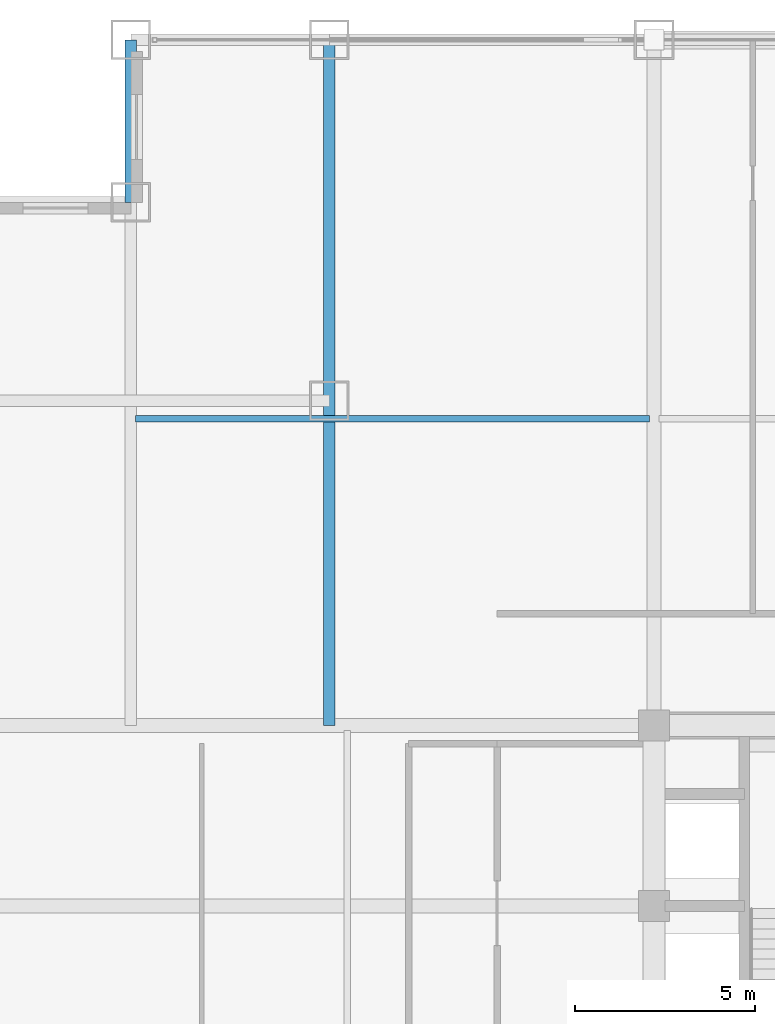
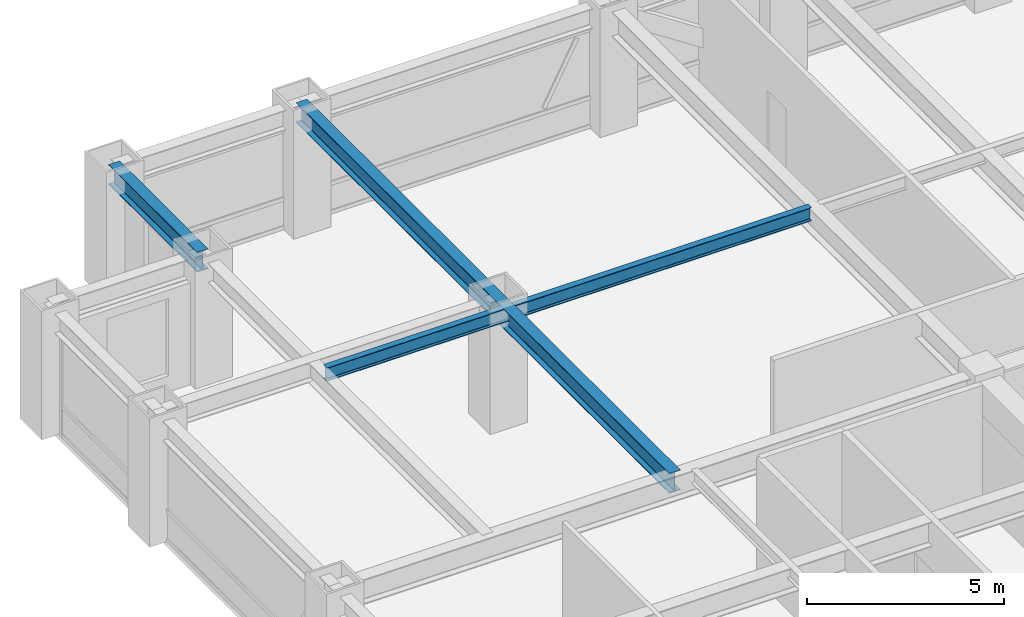
# One storey, part 13 of 24: 3 beams.
"""IFC4 building model written with IfcOpenShell, lengths in metres."""

from ifc_helpers import new_model, si_unit, direction, frame, origin, origin_2d, place, context, subcontext, project, spatial, i_section, extrude, source, transform, mapped, material, material_profile, profile_set, type_object, element, save


model = new_model("IFC4")

# Units and contexts
model_context = context("Model", 3, precision=1e-05, world=origin(), true_north=direction((0.0, 1.0)))
body_context = subcontext(model_context, "Body", "Model", "MODEL_VIEW")
ifc_project = project(units=[si_unit("LENGTHUNIT", "METRE"), si_unit("AREAUNIT", "SQUARE_METRE"), si_unit("VOLUMEUNIT", "CUBIC_METRE"), si_unit("PLANEANGLEUNIT", "RADIAN"), si_unit("MASSUNIT", "GRAM", prefix="KILO")], contexts=[model_context])

# Site, building, storey
site_placement = place(None, origin())
site = spatial("IfcSite", under=ifc_project, at=site_placement, CompositionType="ELEMENT")
building_placement = place(site_placement, origin())
building = spatial("IfcBuilding", under=site, at=building_placement, Name="Khorayat Bourse Tower", CompositionType="ELEMENT")
storey_placement = place(building_placement, frame((0.0, 0.0, 203.10009765625)))
storey = spatial("IfcBuildingStorey", under=building, at=storey_placement, Name="L47", CompositionType="ELEMENT", Elevation=203.10009765625)

# Beams
ifc_material = material(Name="Steel ASTM A992 Grade 50", Category="steel")
ifc_material_profile_1 = material_profile(ifc_material, i_section(OverallWidth=0.324951171875, OverallDepth=0.615966796875, WebThickness=0.013916015625, FlangeThickness=0.021484375, FilletRadius=0.01611328125, at=origin_2d()), Name="W610X174")
ifc_profile_set_1 = profile_set([ifc_material_profile_1], Name="Steel ASTM A992 Grade 50")
beam_type_1 = type_object("IfcBeamType", Name="BM-GIRD-610", PredefinedType="BEAM", material=ifc_profile_set_1)
shared_shape_1 = source(origin(), body_context, "Body", "SweptSolid", [
    extrude(i_section(OverallWidth=0.324951171875, OverallDepth=0.615966796875, WebThickness=0.013916015625, FlangeThickness=0.021484375, FilletRadius=0.01611328125, at=origin_2d()), origin(), (0.0, 0.0, 1.0), 19.0),
])
beam_1_placement = place(storey_placement, frame((-20.0, 11.0, 3.471923828125), z_axis=(0.0, 1.0, 0.0), x_axis=(-1.0, 0.0, 0.0)))
element("IfcBeam", 1, at=beam_1_placement, inside=storey, type_object=beam_type_1, Name="L47 BM-GIRD-610 BM-L47-CNRY-085", PredefinedType="BEAM", context=body_context, shape_type="MappedRepresentation", body=[
    mapped(shared_shape_1, transform((0.0, 0.0, 0.0), scale=1.0)),
])
ifc_material_profile_2 = material_profile(ifc_material, i_section(OverallWidth=0.180908203125, OverallDepth=0.4169921875, WebThickness=0.010986328125, FlangeThickness=0.018310546875, FilletRadius=0.011962890625, at=origin_2d()), Name="W410X85")
ifc_profile_set_2 = profile_set([ifc_material_profile_2], Name="Steel ASTM A992 Grade 50")
beam_type_2 = type_object("IfcBeamType", Name="BM-JOIST-410", PredefinedType="JOIST", material=ifc_profile_set_2)
shared_shape_2 = source(origin(), body_context, "Body", "SweptSolid", [
    extrude(i_section(OverallWidth=0.180908203125, OverallDepth=0.4169921875, WebThickness=0.010986328125, FlangeThickness=0.018310546875, FilletRadius=0.011962890625, at=origin_2d()), origin(), (0.0, 0.0, 1.0), 14.240234375),
])
beam_2_placement = place(storey_placement, frame((-25.3701171875, 19.5, 3.5712890625), z_axis=(1.0, 0.0, 0.0), x_axis=(0.0, 1.0, 0.0)))
element("IfcBeam", 2, at=beam_2_placement, inside=storey, type_object=beam_type_2, Name="L47 BM-JOIST-410 BM-L47-JSTX-099", PredefinedType="JOIST", context=body_context, shape_type="MappedRepresentation", body=[
    mapped(shared_shape_2, transform((0.0, 0.0, 0.0), scale=1.0)),
])
ifc_material_profile_3 = material_profile(ifc_material, i_section(OverallWidth=0.324951171875, OverallDepth=0.615966796875, WebThickness=0.013916015625, FlangeThickness=0.021484375, FilletRadius=0.01611328125, at=origin_2d()), Name="W610X174")
ifc_profile_set_3 = profile_set([ifc_material_profile_3], Name="Steel ASTM A992 Grade 50")
beam_type_3 = type_object("IfcBeamType", Name="BM-SPAN-610", PredefinedType="SPANDREL", material=ifc_profile_set_3)
shared_shape_3 = source(origin(), body_context, "Body", "SweptSolid", [
    extrude(i_section(OverallWidth=0.324951171875, OverallDepth=0.615966796875, WebThickness=0.013916015625, FlangeThickness=0.021484375, FilletRadius=0.01611328125, at=origin_2d()), origin(), (0.0, 0.0, 1.0), 4.5),
])
beam_3_placement = place(storey_placement, frame((-25.5, 25.5, 3.471923828125), z_axis=(0.0, 1.0, 0.0), x_axis=(-1.0, 0.0, 0.0)))
element("IfcBeam", 3, at=beam_3_placement, inside=storey, type_object=beam_type_3, Name="L47 BM-SPAN-610 BM-L47-SPN-052", PredefinedType="SPANDREL", context=body_context, shape_type="MappedRepresentation", body=[
    mapped(shared_shape_3, transform((0.0, 0.0, 0.0), scale=1.0)),
])

save(model, "model.ifc")
